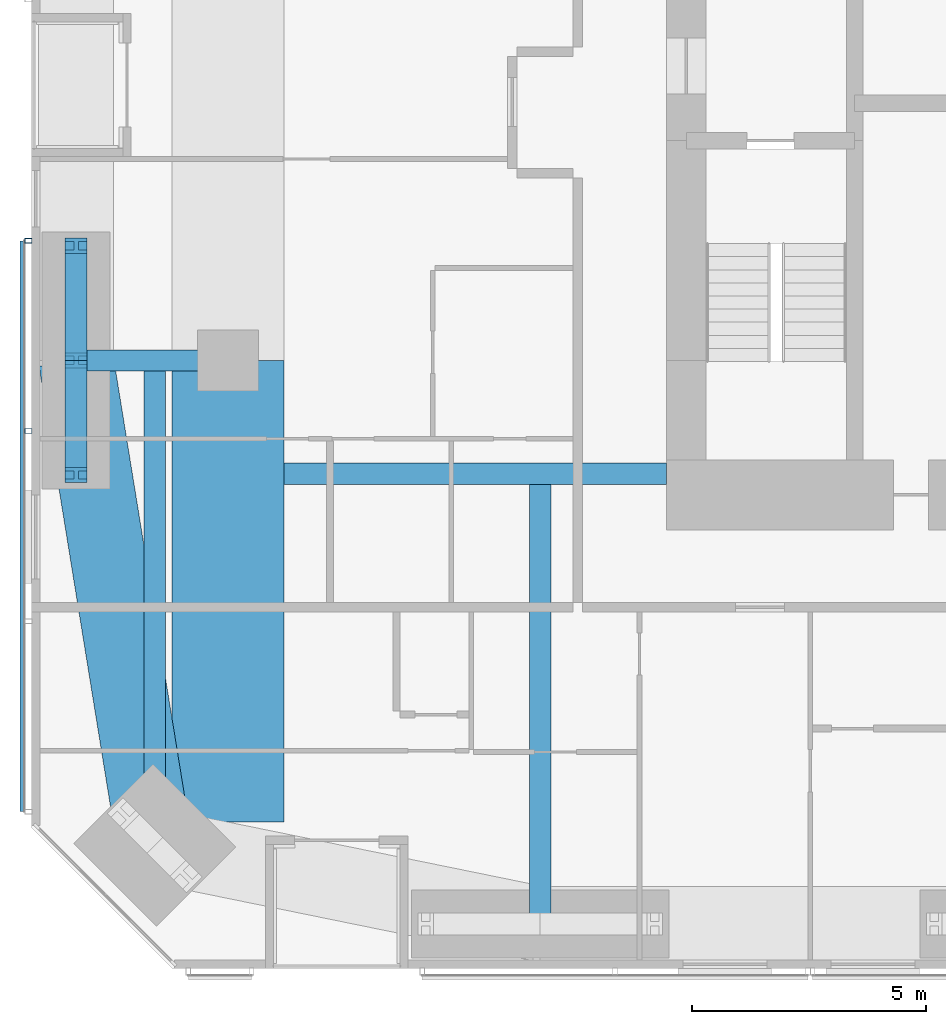
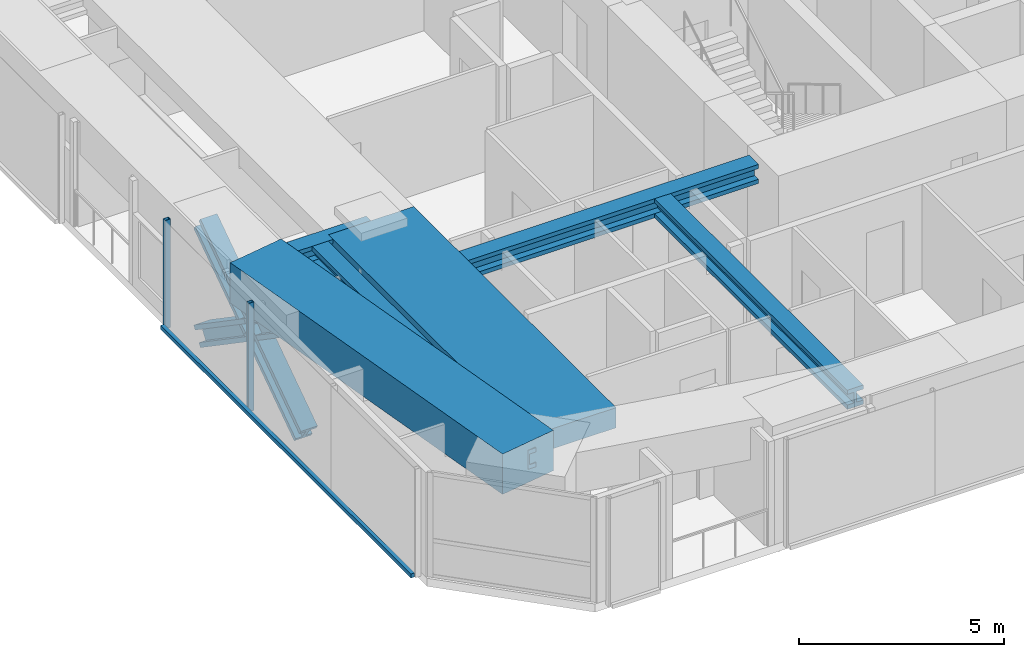
# One storey, part 3 of 23: 7 members, 6 beams, 1 element without a shape of its own.
"""IFC4 building model written with IfcOpenShell, lengths in metres."""

from ifc_helpers import new_model, si_unit, direction, frame, origin, origin_2d, place, context, subcontext, project, spatial, rectangle, hollow_rectangle, i_section, extrude, material, material_profile, profile_set, type_object, element, aggregate, save


model = new_model("IFC4")

# Units and contexts
model_context = context("Model", 3, precision=1e-05, world=origin(), true_north=direction((0.0, 1.0)))
body_context = subcontext(model_context, "Body", "Model", "MODEL_VIEW")
ifc_project = project(units=[si_unit("LENGTHUNIT", "METRE"), si_unit("AREAUNIT", "SQUARE_METRE"), si_unit("VOLUMEUNIT", "CUBIC_METRE"), si_unit("PLANEANGLEUNIT", "RADIAN"), si_unit("MASSUNIT", "GRAM", prefix="KILO")], contexts=[model_context])

# Site, building, storey
site_placement = place(None, origin())
site = spatial("IfcSite", under=ifc_project, at=site_placement, CompositionType="ELEMENT")
building_placement = place(site_placement, origin())
building = spatial("IfcBuilding", under=site, at=building_placement, Name="Jalousie Tower", CompositionType="ELEMENT")
storey_placement = place(building_placement, frame((0.0, 0.0, 118.25)))
storey = spatial("IfcBuildingStorey", under=building, at=storey_placement, Name="L32", CompositionType="ELEMENT", Elevation=118.25)

# Beams
ifc_material_1 = material(Name="Steel ASTM A992 Grade 50", Category="steel")
ifc_material_profile_1 = material_profile(ifc_material_1, i_section(OverallWidth=0.45458984375, OverallDepth=0.569091796875, WebThickness=0.077880859375, FlangeThickness=0.124755859375, at=origin_2d()), Name="W14X730")
ifc_profile_set_1 = profile_set([ifc_material_profile_1], Name="Steel ASTM A992 Grade 50")
beam_type_1 = type_object("IfcBeamType", Name="LEAN COLLECTOR W14X730", PredefinedType="BEAM", material=ifc_profile_set_1)
beam_1_placement = place(storey_placement, frame((6.949951171875, 13.0, 2.825439453125), z_axis=(1.0, 0.0, 0.0), x_axis=(0.0, 1.0, 0.0)))
element("IfcBeam", 1, at=beam_1_placement, inside=storey, type_object=beam_type_1, Name="Lean collector under L33", PredefinedType="BEAM", context=body_context, shape_type="SweptSolid", body=[
    extrude(i_section(OverallWidth=0.45458984375, OverallDepth=0.569091796875, WebThickness=0.077880859375, FlangeThickness=0.124755859375, at=origin_2d()), origin(), (0.0, 0.0, 1.0), 3.25),
])
beam_2_placement = place(storey_placement, frame((11.39990234375, 10.574951171875, 2.825439453125), z_axis=(1.0, 0.0, 0.0), x_axis=(0.0, 1.0, 0.0)))
element("IfcBeam", 2, at=beam_2_placement, inside=storey, type_object=beam_type_1, Name="Lean collector under L33", PredefinedType="BEAM", context=body_context, shape_type="SweptSolid", body=[
    extrude(i_section(OverallWidth=0.45458984375, OverallDepth=0.569091796875, WebThickness=0.077880859375, FlangeThickness=0.124755859375, at=origin_2d()), origin(), (0.0, 0.0, 1.0), 8.175048828125),
])
beam_3_placement = place(storey_placement, frame((8.63134765625, 2.63134765625, 2.825439453125), z_axis=(0.0, 1.0, 0.0), x_axis=(-1.0, 0.0, 0.0)))
element("IfcBeam", 3, at=beam_3_placement, inside=storey, type_object=beam_type_1, Name="Lean collector under L33", PredefinedType="BEAM", context=body_context, shape_type="SweptSolid", body=[
    extrude(i_section(OverallWidth=0.45458984375, OverallDepth=0.569091796875, WebThickness=0.077880859375, FlangeThickness=0.124755859375, at=origin_2d()), origin(), (0.0, 0.0, 1.0), 10.36865234375),
])
beam_4_placement = place(storey_placement, frame((16.875, 0.949951171875, 2.825439453125), z_axis=(0.0, 1.0, 0.0), x_axis=(-1.0, 0.0, 0.0)))
element("IfcBeam", 4, at=beam_4_placement, inside=storey, type_object=beam_type_1, Name="Lean collector under L33", PredefinedType="BEAM", context=body_context, shape_type="SweptSolid", body=[
    extrude(i_section(OverallWidth=0.45458984375, OverallDepth=0.569091796875, WebThickness=0.077880859375, FlangeThickness=0.124755859375, at=origin_2d()), origin(), (0.0, 0.0, 1.0), 9.625),
])

# Members
ifc_material_2 = material(Name="Steel ASTM A992 Grade 50", Category="steel")
ifc_material_profile_2 = material_profile(ifc_material_2, i_section(OverallWidth=0.472412109375, OverallDepth=0.5791015625, WebThickness=0.094970703125, FlangeThickness=0.1298828125, at=origin_2d()), Name="W14X808")
ifc_profile_set_2 = profile_set([ifc_material_profile_2], Name="Steel ASTM A992 Grade 50")
member_type_1 = type_object("IfcMemberType", Name="PERIMETER BRACE W14X808", PredefinedType="BRACE", material=ifc_profile_set_2)
for number, where, z_axis, x_axis, name in (
    (5, (6.949951171875, 10.550048828125, -0.60009765625), (0.0, 0.825500916831, 0.564400776321), (-1.0, 0.0, 0.0), "Perimeter brace 14 L32 part 1"),
    (6, (6.949951171875, 13.0, 1.074951171875), (0.0, 0.825500916831, 0.564400776321), (-1.0, 0.0, 0.0), "Perimeter brace 14 L32 part 2"),
    (7, (6.949951171875, 15.449951171875, -0.60009765625), (0.0, -0.825500916831, 0.564400776321), (1.0, 0.0, 0.0), "Perimeter brace 14 L32 part 3"),
    (8, (6.949951171875, 13.0, 1.074951171875), (0.0, -0.825500916831, 0.564400776321), (1.0, 0.0, 0.0), "Perimeter brace 14 L32 part 4"),
):
    element("IfcMember", number, at=place(storey_placement, frame(where, z_axis=z_axis, x_axis=x_axis)), inside=storey, type_object=member_type_1, Name=name, PredefinedType="BRACE", context=body_context, shape_type="SweptSolid", body=[
        extrude(i_section(OverallWidth=0.472412109375, OverallDepth=0.5791015625, WebThickness=0.094970703125, FlangeThickness=0.1298828125, at=origin_2d()), origin(), (0.0, 0.0, 1.0), 2.9677734375),
    ])

# Beams
ifc_material_3 = material(Name="Concrete f'c 40 MPa", Category="concrete")
ifc_material_profile_3 = material_profile(ifc_material_3, rectangle(XDim=1.60009765625, YDim=1.199951171875, at=origin_2d()), Name="RC 1600x1200")
ifc_profile_set_3 = profile_set([ifc_material_profile_3], Name="Concrete f'c 40 MPa")
beam_type_2 = type_object("IfcBeamType", Name="RC BEAM 1600x1200", PredefinedType="BEAM", material=ifc_profile_set_3)
beam_5_placement = place(storey_placement, frame((6.949951171875, 13.0, 2.75), z_axis=(0.160070546476, -0.987105577003, 0.0), x_axis=(0.987105577003, 0.160070546476, 0.0)))
element("IfcBeam", 9, at=beam_5_placement, inside=storey, type_object=beam_type_2, Name="Edge band beam 14-01 under L33", PredefinedType="BEAM", context=body_context, shape_type="SweptSolid", body=[
    extrude(rectangle(XDim=1.60009765625, YDim=1.199951171875, at=origin_2d()), origin(), (0.0, 0.0, 1.0), 10.504150390625),
])
ifc_material_4 = material(Name="Concrete f'c 40 MPa", Category="concrete")
ifc_material_profile_4 = material_profile(ifc_material_4, rectangle(XDim=2.39990234375, YDim=0.60009765625, at=origin_2d()), Name="RC 2400x600")
ifc_profile_set_4 = profile_set([ifc_material_profile_4], Name="Concrete f'c 40 MPa")
beam_type_3 = type_object("IfcBeamType", Name="RC BEAM 2400x600", PredefinedType="BEAM", material=ifc_profile_set_4)
beam_6_placement = place(storey_placement, frame((10.199951171875, 13.0, 2.81005859375), z_axis=(0.0, -1.0, 0.0), x_axis=(1.0, 0.0, 0.0)))
element("IfcBeam", 10, at=beam_6_placement, inside=storey, type_object=beam_type_3, Name="Floor band beam under L33", PredefinedType="BEAM", context=body_context, shape_type="SweptSolid", body=[
    extrude(rectangle(XDim=2.39990234375, YDim=0.60009765625, at=origin_2d()), origin(), (0.0, 0.0, 1.0), 9.8720703125),
])

# Curtain wall, members
ifc_material_5 = material(Name="Perforated aluminium sheet", Category="aluminium")
curtain_wall_type = type_object("IfcCurtainWallType", Name="SOLAR SCREEN SS-1", PredefinedType="USERDEFINED", material=ifc_material_5)
curtain_wall_placement = place(storey_placement, origin())
curtain_wall = element("IfcCurtainWall", 11, at=curtain_wall_placement, inside=storey, type_object=curtain_wall_type, Name="Solar screen L32", ObjectType="SOLAR SCREEN SS-1", PredefinedType="USERDEFINED")
ifc_material_6 = material(Name="Steel ASTM A500 Grade C", Category="steel")
ifc_material_profile_5 = material_profile(ifc_material_6, hollow_rectangle(XDim=0.1015625, YDim=0.15234375, WallThickness=0.00634765625, at=origin_2d()), Name="HSS6X4X1/4")
ifc_profile_set_5 = profile_set([ifc_material_profile_5], Name="Steel ASTM A500 Grade C")
member_type_2 = type_object("IfcMemberType", Name="SOLAR SCREEN SS-1 MULLION", PredefinedType="MULLION", material=ifc_profile_set_5)
member_1_placement = place(storey_placement, frame((5.9287109375, 15.55810546875, -0.1201171875), z_axis=(0.0, 0.0, 1.0), x_axis=(0.0, -1.0, 0.0)))
member_1 = element("IfcMember", 12, at=member_1_placement, type_object=member_type_2, Name="SS1 post 1", PredefinedType="MULLION", context=body_context, shape_type="SweptSolid", body=[
    extrude(hollow_rectangle(XDim=0.1015625, YDim=0.15234375, WallThickness=0.00634765625, at=origin_2d()), origin(), (0.0, 0.0, 1.0), 3.230224609375),
])
member_2_placement = place(storey_placement, frame((5.9287109375, 11.4892578125, -0.1201171875), z_axis=(0.0, 0.0, 1.0), x_axis=(0.0, -1.0, 0.0)))
member_2 = element("IfcMember", 13, at=member_2_placement, type_object=member_type_2, Name="SS1 post 2", PredefinedType="MULLION", context=body_context, shape_type="SweptSolid", body=[
    extrude(hollow_rectangle(XDim=0.1015625, YDim=0.15234375, WallThickness=0.00634765625, at=origin_2d()), origin(), (0.0, 0.0, 1.0), 3.230224609375),
])
ifc_material_7 = material(Name="Extruded aluminium screen rail", Category="aluminium")
ifc_material_profile_6 = material_profile(ifc_material_7, rectangle(XDim=0.1015625, YDim=0.1201171875, at=origin_2d()), Name="RAIL 102x120")
ifc_profile_set_6 = profile_set([ifc_material_profile_6], Name="Extruded aluminium screen rail")
member_type_3 = type_object("IfcMemberType", Name="SOLAR SCREEN SS-1 TRANSOM", PredefinedType="USERDEFINED", material=ifc_profile_set_6)
member_3_placement = place(storey_placement, frame((5.8017578125, 15.55810546875, -0.06005859375), z_axis=(0.0, -1.0, 0.0), x_axis=(1.0, 0.0, 0.0)))
member_3 = element("IfcMember", 14, at=member_3_placement, type_object=member_type_3, Name="SS1 rail", ObjectType="TRANSOM", PredefinedType="USERDEFINED", context=body_context, shape_type="SweptSolid", body=[
    extrude(rectangle(XDim=0.1015625, YDim=0.1201171875, at=origin_2d()), origin(), (0.0, 0.0, 1.0), 12.206787109375),
])
aggregate(curtain_wall, [member_1, member_2, member_3])

save(model, "model.ifc")
